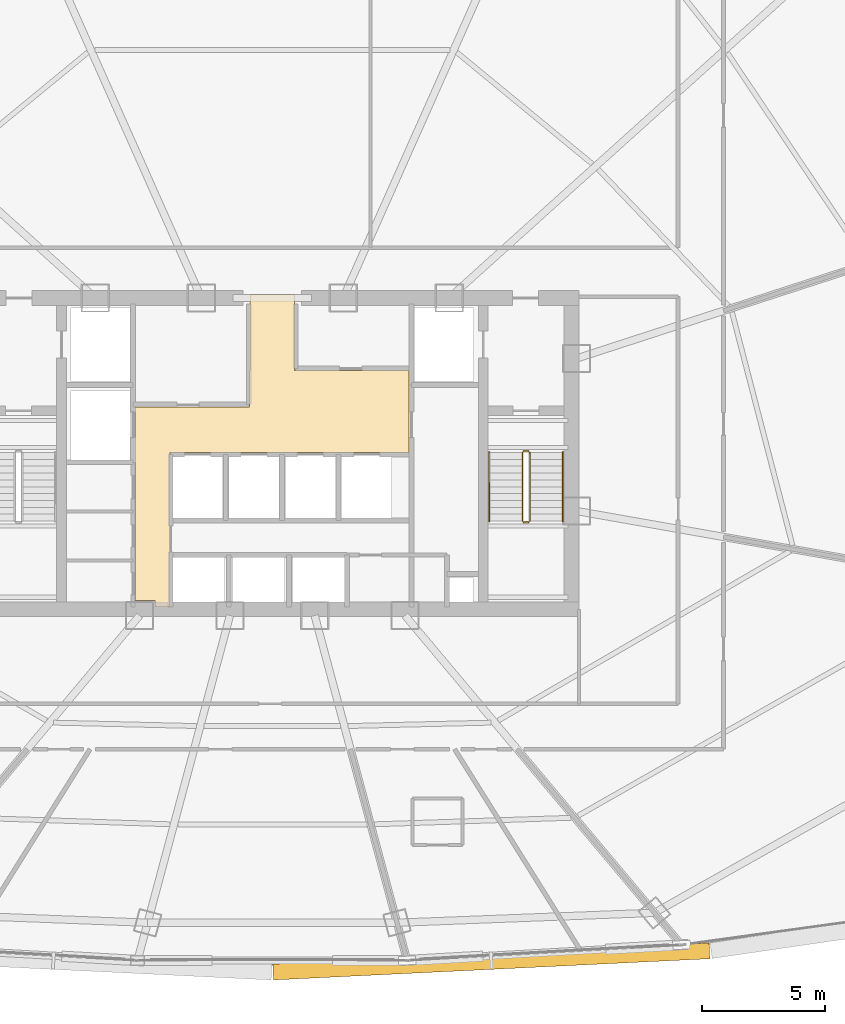
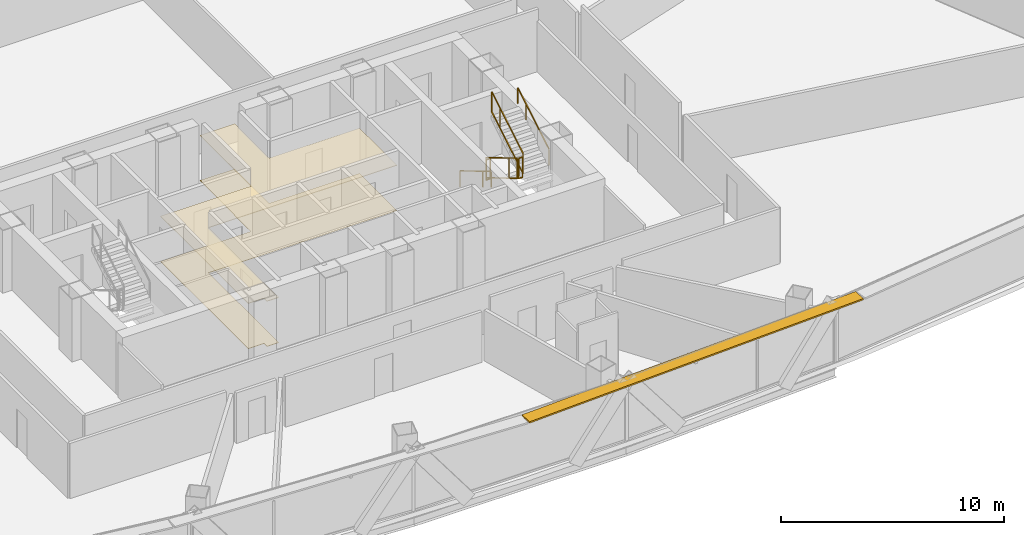
# One storey, part 37 of 39: 6 railings, 2 coverings, 1 shading device.
"""IFC4 building model written with IfcOpenShell, lengths in metres."""

import ifcopenshell
import ifcopenshell.guid

model = None  # the IFC model being written
_history = None  # IfcOwnerHistory: only IFC2X3 demands one
_inside = {}  # id of a spatial element -> (the spatial element, [elements in it])
_under = {}  # id of a project, library or spatial element -> (it, [spatial elements below it])
_declared = {}  # id of a project -> (the project, [libraries it declares])
_typed = {}  # id of a type object -> (the type object, [elements of that type])
_made_of = {}  # id of a material, layer set ... -> (it, [elements and type objects made of it])


def new_model(schema):
    """Start an empty IFC model of exactly this schema.

    Asked for "IFC4X3", IfcOpenShell would pick the latest addendum, in which some entities
    have other attributes; the version numbers below select the first issue.
    IFC2X3 requires an IfcOwnerHistory on every rooted entity: one is made here for all.
    """
    global model, _history
    if schema == "IFC4X3":
        model = ifcopenshell.file(schema_version=(4, 3, 0, 0))
    else:
        model = ifcopenshell.file(schema=schema)
    _inside.clear()
    _under.clear()
    _declared.clear()
    _typed.clear()
    _made_of.clear()
    _history = None
    if model.schema == "IFC2X3":
        org = make("IfcOrganization", Name="unknown")
        user = make(
            "IfcPersonAndOrganization",
            ThePerson=make("IfcPerson", FamilyName="unknown"),
            TheOrganization=org,
        )
        app = make(
            "IfcApplication",
            ApplicationDeveloper=org,
            Version="unknown",
            ApplicationFullName="unknown",
            ApplicationIdentifier="unknown",
        )
        _history = make(
            "IfcOwnerHistory",
            OwningUser=user,
            OwningApplication=app,
            ChangeAction="ADDED",
            CreationDate=0,
        )
    return model


def make(cls, **values):
    """One entity of the class cls with the attributes given. An attribute that is None is left unset."""
    return model.create_entity(
        cls, **{name: value for name, value in values.items() if value is not None}
    )


def rooted(cls, **values):
    """An entity with a GlobalId (a new one), such as an element, a storey or a relation."""
    return make(cls, GlobalId=ifcopenshell.guid.new(), OwnerHistory=_history, **values)


def si_unit(unit_type, name, prefix=None):
    """IfcSIUnit, for example si_unit("LENGTHUNIT", "METRE", prefix="MILLI")."""
    return make("IfcSIUnit", UnitType=unit_type, Prefix=prefix, Name=name)


def assignment(units):
    """IfcUnitAssignment: the units of a project."""
    return None if units is None else make("IfcUnitAssignment", Units=units)


def point(xyz):
    """IfcCartesianPoint."""
    return None if xyz is None else make("IfcCartesianPoint", Coordinates=xyz)


def direction(xyz):
    """IfcDirection."""
    return None if xyz is None else make("IfcDirection", DirectionRatios=xyz)


def frame(location, z_axis=None, x_axis=None):
    """IfcAxis2Placement3D, a coordinate frame: its origin and axes. An axis left out is left unset."""
    return make(
        "IfcAxis2Placement3D",
        Location=point(location),
        Axis=direction(z_axis),
        RefDirection=direction(x_axis),
    )


def frame_2d(location, x_axis=None):
    """IfcAxis2Placement2D, a coordinate frame in the plane: its origin and x axis."""
    return make(
        "IfcAxis2Placement2D", Location=point(location), RefDirection=direction(x_axis)
    )


def origin():
    """The frame at (0, 0, 0) with its axes left unset."""
    return frame((0.0, 0.0, 0.0))


def origin_2d():
    """The frame at (0, 0) in the plane with its x axis left unset."""
    return frame_2d((0.0, 0.0))


def place(relative_to, where):
    """IfcLocalPlacement: puts the frame where relative to a parent placement (None: the world)."""
    return make(
        "IfcLocalPlacement", PlacementRelTo=relative_to, RelativePlacement=where
    )


def context(
    kind, dimensions, precision=None, world=None, true_north=None, identifier=None
):
    """IfcGeometricRepresentationContext, for example the 3D "Model" context."""
    return make(
        "IfcGeometricRepresentationContext",
        ContextIdentifier=identifier,
        ContextType=kind,
        CoordinateSpaceDimension=dimensions,
        Precision=precision,
        WorldCoordinateSystem=world,
        TrueNorth=true_north,
    )


def subcontext(parent, identifier, kind, view, scale=None):
    """IfcGeometricRepresentationSubContext, for example "Body" below "Model"."""
    return make(
        "IfcGeometricRepresentationSubContext",
        ContextIdentifier=identifier,
        ContextType=kind,
        ParentContext=parent,
        TargetScale=scale,
        TargetView=view,
    )


def project(units=None, contexts=None):
    """IfcProject with its units and contexts."""
    return rooted(
        "IfcProject",
        Name="project",
        RepresentationContexts=contexts,
        UnitsInContext=assignment(units),
    )


def spatial(cls, under=None, at=None, **own):
    """A site, building, storey or space (cls), placed at a placement, below another one or the project."""
    s = rooted(cls, ObjectPlacement=at, **own)
    if under is not None:
        _under.setdefault(under.id(), (under, []))[1].append(s)
    return s


def polyline(points):
    """IfcPolyline through the points."""
    return make("IfcPolyline", Points=[point(p) for p in points])


def profile(cls, at=None, kind="AREA", **sizes):
    """A parametric profile (cls). Its sizes go by their IFC names, for example OverallWidth=200.0."""
    return make(cls, ProfileType=kind, Position=at, **sizes)


def rectangle(**sizes):
    """IfcRectangleProfileDef."""
    return profile("IfcRectangleProfileDef", **sizes)


def outline(outer, holes=None, kind="AREA"):
    """IfcArbitraryClosedProfileDef: a profile drawn as a closed curve; with holes, ...WithVoids."""
    if holes is None:
        return make("IfcArbitraryClosedProfileDef", ProfileType=kind, OuterCurve=outer)
    return make(
        "IfcArbitraryProfileDefWithVoids",
        ProfileType=kind,
        OuterCurve=outer,
        InnerCurves=holes,
    )


def extrude(swept, where, along, depth):
    """IfcExtrudedAreaSolid: the profile swept, set in the frame where, extruded along a direction by depth."""
    return make(
        "IfcExtrudedAreaSolid",
        SweptArea=swept,
        Position=where,
        ExtrudedDirection=direction(along),
        Depth=depth,
    )


def shape(context_of_items, identifier, shape_type, items):
    """IfcShapeRepresentation: the items that make up one representation, for example the "Body"."""
    return make(
        "IfcShapeRepresentation",
        ContextOfItems=context_of_items,
        RepresentationIdentifier=identifier,
        RepresentationType=shape_type,
        Items=items,
    )


def source(mapping_origin, context_of_items, identifier, shape_type, items):
    """IfcRepresentationMap: a shape defined once, which mapped items show again and again."""
    return make(
        "IfcRepresentationMap",
        MappingOrigin=mapping_origin,
        MappedRepresentation=shape(context_of_items, identifier, shape_type, items),
    )


def transform(
    local_origin,
    x_axis=None,
    y_axis=None,
    z_axis=None,
    scale=None,
    scale2=None,
    scale3=None,
    uniform=True,
):
    """IfcCartesianTransformationOperator3D, or its non-uniform kind. x_axis, y_axis, z_axis: its Axis1, 2, 3."""
    if uniform:
        return make(
            "IfcCartesianTransformationOperator3D",
            Axis1=direction(x_axis),
            Axis2=direction(y_axis),
            LocalOrigin=point(local_origin),
            Scale=scale,
            Axis3=direction(z_axis),
        )
    return make(
        "IfcCartesianTransformationOperator3DnonUniform",
        Axis1=direction(x_axis),
        Axis2=direction(y_axis),
        LocalOrigin=point(local_origin),
        Scale=scale,
        Axis3=direction(z_axis),
        Scale2=scale2,
        Scale3=scale3,
    )


def mapped(mapping_source, mapping_target):
    """IfcMappedItem: shows the shape of a source again, moved by a transform."""
    return make(
        "IfcMappedItem", MappingSource=mapping_source, MappingTarget=mapping_target
    )


def material(Name=None, Category=None):
    """IfcMaterial."""
    return make("IfcMaterial", Name=Name, Category=Category)


def layer(
    of_material, thickness, ventilated=None, Name=None, Category=None, Priority=None
):
    """IfcMaterialLayer: one layer of a wall or slab, of a material (None: an air gap)."""
    return make(
        "IfcMaterialLayer",
        Material=of_material,
        LayerThickness=thickness,
        IsVentilated=ventilated,
        Name=Name,
        Category=Category,
        Priority=Priority,
    )


def layer_set(layers, Name=None):
    """IfcMaterialLayerSet."""
    return make("IfcMaterialLayerSet", MaterialLayers=layers, LayerSetName=Name)


def made_of(thing, what):
    """Note that an element or type object is made of a material, layer set ...; save() writes the relation."""
    if what is not None:
        _made_of.setdefault(what.id(), (what, []))[1].append(thing)
    return thing


def type_object(cls, material=None, **own):
    """A type object (cls), such as IfcWallType, which elements share."""
    return made_of(rooted(cls, **own), material)


def element(
    cls,
    number,
    at=None,
    inside=None,
    cuts=None,
    type_object=None,
    material=None,
    context=None,
    identifier="Body",
    shape_type=None,
    held_by="IfcProductDefinitionShape",
    body=None,
    shapes=None,
    **own,
):
    """One element of the class cls, such as IfcWall. Its Tag is "e" and its number.

    at: its placement. inside: the storey or other place that contains it. cuts: it is an
    opening in that element (IfcRelVoidsElement). A single representation is given by context,
    identifier, shape_type and body (its items); several are given by shapes. held_by: the class
    of the entity that holds the representations. save() writes the other relations.
    """
    e = rooted(cls, Tag="e%d" % number, ObjectPlacement=at, **own)
    if body is not None:
        shapes = [shape(context, identifier, shape_type, body)]
    if shapes is not None:
        e.Representation = make(held_by, Representations=shapes)
    if inside is not None:
        _inside.setdefault(inside.id(), (inside, []))[1].append(e)
    if cuts is not None:
        rooted(
            "IfcRelVoidsElement", RelatingBuildingElement=cuts, RelatedOpeningElement=e
        )
    if type_object is not None:
        _typed.setdefault(type_object.id(), (type_object, []))[1].append(e)
    return made_of(e, material)


def aggregate(whole, parts):
    """IfcRelAggregates: a whole, such as a stair, and the parts it consists of."""
    return rooted("IfcRelAggregates", RelatingObject=whole, RelatedObjects=parts)


def save(model, path):
    """Write the relations noted so far, then the file.

    IfcRelAggregates (storeys below a building ...), IfcRelContainedInSpatialStructure (elements
    in a storey), IfcRelDefinesByType, IfcRelAssociatesMaterial and IfcRelDeclares: one each for
    every whole, place, type object, material and project.
    """
    for whole, parts in _under.values():
        aggregate(whole, parts)
    for where, things in _inside.values():
        rooted(
            "IfcRelContainedInSpatialStructure",
            RelatedElements=things,
            RelatingStructure=where,
        )
    for kind, things in _typed.values():
        rooted("IfcRelDefinesByType", RelatedObjects=things, RelatingType=kind)
    for what, things in _made_of.values():
        rooted("IfcRelAssociatesMaterial", RelatedObjects=things, RelatingMaterial=what)
    for by, libraries in _declared.values():
        rooted("IfcRelDeclares", RelatingContext=by, RelatedDefinitions=libraries)
    model.write(path)


model = new_model("IFC4")

# Units and contexts
model_context = context("Model", 3, precision=1e-05, world=origin(), true_north=direction((0.0, 1.0)))
body_context = subcontext(model_context, "Body", "Model", "MODEL_VIEW")
ifc_project = project(units=[si_unit("LENGTHUNIT", "METRE"), si_unit("AREAUNIT", "SQUARE_METRE"), si_unit("VOLUMEUNIT", "CUBIC_METRE"), si_unit("PLANEANGLEUNIT", "RADIAN"), si_unit("MASSUNIT", "GRAM", prefix="KILO"), si_unit("THERMODYNAMICTEMPERATUREUNIT", "KELVIN"), si_unit("POWERUNIT", "WATT")], contexts=[model_context])

# Site, building, storey
site_placement = place(None, origin())
site = spatial("IfcSite", under=ifc_project, at=site_placement, CompositionType="ELEMENT")
building_placement = place(site_placement, origin())
building = spatial("IfcBuilding", under=site, at=building_placement, Name="Yunzhuo Pagoda Commons", CompositionType="ELEMENT")
storey_placement = place(building_placement, frame((0.0, 0.0, 140.8701171875)))
storey = spatial("IfcBuildingStorey", under=building, at=storey_placement, Name="L35", CompositionType="ELEMENT", Elevation=140.8701171875)

# Coverings
ifc_material_1 = material(Name="Perforated gypsum acoustic ceiling tile")
ifc_layer_1 = layer(ifc_material_1, 0.030029296875)
ifc_layer_set_1 = layer_set([ifc_layer_1], Name="Perforated gypsum acoustic ceiling tile")
covering_type_1 = type_object("IfcCoveringType", Name="COV-CL2 Ceiling 30", PredefinedType="CEILING", material=ifc_layer_set_1)
covering_1_placement = place(storey_placement, frame((0.0, 0.0, 2.469970703125)))
element("IfcCovering", 1, at=covering_1_placement, inside=storey, type_object=covering_type_1, Name="L35 lift lobby acoustic ceiling", PredefinedType="CEILING", context=body_context, shape_type="SweptSolid", body=[
    extrude(outline(polyline([(42.39990234375, 35.75), (47.080078125, 35.75), (47.080078125, 37.25), (47.10009765625, 37.25), (47.10009765625, 40.35009765625), (48.89990234375, 40.35009765625), (48.89990234375, 37.25), (53.580078125, 37.25), (53.580078125, 33.89990234375), (43.820068359375, 33.89990234375), (43.820068359375, 27.60009765625), (43.207763671875, 27.60009765625), (43.207763671875, 27.85009765625), (43.201904296875, 27.864013671875), (43.187744140625, 27.8701171875), (42.39990234375, 27.8701171875), (42.39990234375, 33.89990234375), (42.39990234375, 35.75)])), origin(), (0.0, 0.0, 1.0), 0.030029296875),
])
ifc_material_2 = material(Name="Porcelain ceramic floor tile")
ifc_layer_2 = layer(ifc_material_2, 0.02001953125)
ifc_layer_set_2 = layer_set([ifc_layer_2], Name="Porcelain ceramic floor tile")
covering_type_2 = type_object("IfcCoveringType", Name="COV-FL1 Flooring 20", PredefinedType="FLOORING", material=ifc_layer_set_2)
covering_2_placement = place(storey_placement, origin())
element("IfcCovering", 2, at=covering_2_placement, inside=storey, type_object=covering_type_2, Name="L35 lift lobby flooring", PredefinedType="FLOORING", context=body_context, shape_type="SweptSolid", body=[
    extrude(outline(polyline([(42.39990234375, 35.75), (47.080078125, 35.75), (47.080078125, 37.25), (47.10009765625, 37.25), (47.10009765625, 40.35009765625), (48.89990234375, 40.35009765625), (48.89990234375, 37.25), (53.580078125, 37.25), (53.580078125, 33.89990234375), (43.820068359375, 33.89990234375), (43.820068359375, 27.60009765625), (43.207763671875, 27.60009765625), (43.207763671875, 27.85009765625), (43.201904296875, 27.864013671875), (43.187744140625, 27.8701171875), (42.39990234375, 27.8701171875), (42.39990234375, 33.89990234375), (42.39990234375, 35.75)])), origin(), (0.0, 0.0, 1.0), 0.019775390625),
])

# Railings
ifc_material_3 = material(Name="Anodized aluminium 6063-T6", Category="aluminium")
railing_type_1 = type_object("IfcRailingType", Name="GR-ST2 Stair Well Guardrail 1160", PredefinedType="GUARDRAIL", material=ifc_material_3)
railing_1_placement = place(storey_placement, frame((58.199951171875, 33.89990234375, 0.167236328125)))
element("IfcRailing", 3, at=railing_1_placement, inside=storey, type_object=railing_type_1, Name="L35 ST2 stair guard 1", PredefinedType="GUARDRAIL", context=body_context, shape_type="SweptSolid", body=[
    extrude(rectangle(XDim=0.048095703125, YDim=0.048095703125, at=origin_2d()), frame((0.0, 0.0, 1.1259765625), z_axis=(0.0, -0.858475523978, 0.512854535645), x_axis=(1.0, 0.0, 0.0)), (0.0, 0.0, 1.0), 3.261474609375),
    extrude(rectangle(XDim=0.048095703125, YDim=0.048095703125, at=origin_2d()), frame((0.0, 0.0, 0.02392578125), z_axis=(0.0, -0.858475523978, 0.512854535645), x_axis=(1.0, 0.0, 0.0)), (0.0, 0.0, 1.0), 3.261474609375),
    extrude(rectangle(XDim=0.0419921875, YDim=0.0419921875, at=origin_2d()), origin(), (0.0, 0.0, 1.0), 1.101806640625),
    extrude(rectangle(XDim=0.0419921875, YDim=0.0419921875, at=origin_2d()), frame((0.0, -2.060302734375, 1.23095703125)), (0.0, 0.0, 1.0), 1.101806640625),
    extrude(rectangle(XDim=0.0419921875, YDim=0.0419921875, at=origin_2d()), frame((0.0, -2.7998046875, 1.672607421875)), (0.0, 0.0, 1.0), 1.101806640625),
])
railing_2_placement = place(storey_placement, frame((58.25, 31.050048828125, 1.83984375)))
element("IfcRailing", 4, at=railing_2_placement, inside=storey, type_object=railing_type_1, Name="L35 ST2 stair guard 2", PredefinedType="GUARDRAIL", context=body_context, shape_type="SweptSolid", body=[
    extrude(rectangle(XDim=0.048095703125, YDim=0.048095703125, at=origin_2d()), frame((0.0, 0.0, 1.1259765625), z_axis=(1.0, 0.0, 0.0), x_axis=(0.0, 1.0, 0.0)), (0.0, 0.0, 1.0), 0.199951171875),
    extrude(rectangle(XDim=0.048095703125, YDim=0.048095703125, at=origin_2d()), frame((0.0, 0.0, 0.02392578125), z_axis=(1.0, 0.0, 0.0), x_axis=(0.0, 1.0, 0.0)), (0.0, 0.0, 1.0), 0.199951171875),
    extrude(rectangle(XDim=0.0419921875, YDim=0.0419921875, at=origin_2d()), origin(), (0.0, 0.0, 1.0), 1.101806640625),
    extrude(rectangle(XDim=0.0419921875, YDim=0.0419921875, at=origin_2d()), frame((0.199951171875, 0.0, 0.0)), (0.0, 0.0, 1.0), 1.101806640625),
])
railing_3_placement = place(storey_placement, frame((58.5, 31.10009765625, 2.007080078125)))
element("IfcRailing", 5, at=railing_3_placement, inside=storey, type_object=railing_type_1, Name="L35 ST2 stair guard 3", PredefinedType="GUARDRAIL", context=body_context, shape_type="SweptSolid", body=[
    extrude(rectangle(XDim=0.048095703125, YDim=0.048095703125, at=origin_2d()), frame((0.0, 0.0, 1.1259765625), z_axis=(0.0, 0.858442565357, 0.512909701589), x_axis=(-1.0, 0.0, 0.0)), (0.0, 0.0, 1.0), 3.261474609375),
    extrude(rectangle(XDim=0.048095703125, YDim=0.048095703125, at=origin_2d()), frame((0.0, 0.0, 0.02392578125), z_axis=(0.0, 0.858442565357, 0.512909701589), x_axis=(-1.0, 0.0, 0.0)), (0.0, 0.0, 1.0), 3.261474609375),
    extrude(rectangle(XDim=0.0419921875, YDim=0.0419921875, at=origin_2d()), origin(), (0.0, 0.0, 1.0), 1.101806640625),
    extrude(rectangle(XDim=0.0419921875, YDim=0.0419921875, at=origin_2d()), frame((0.0, 2.060302734375, 1.23095703125)), (0.0, 0.0, 1.0), 1.101806640625),
    extrude(rectangle(XDim=0.0419921875, YDim=0.0419921875, at=origin_2d()), frame((0.0, 2.7998046875, 1.6728515625)), (0.0, 0.0, 1.0), 1.101806640625),
])
railing_4_placement = place(storey_placement, frame((58.25, 33.949951171875, 0.0)))
element("IfcRailing", 6, at=railing_4_placement, inside=storey, type_object=railing_type_1, Name="L35 ST2 stair guard 4", PredefinedType="GUARDRAIL", context=body_context, shape_type="SweptSolid", body=[
    extrude(rectangle(XDim=0.048095703125, YDim=0.048095703125, at=origin_2d()), frame((0.0, 0.0, 1.1259765625), z_axis=(1.0, 0.0, 0.0), x_axis=(0.0, 1.0, 0.0)), (0.0, 0.0, 1.0), 0.199951171875),
    extrude(rectangle(XDim=0.048095703125, YDim=0.048095703125, at=origin_2d()), frame((0.0, 0.0, 0.02392578125), z_axis=(1.0, 0.0, 0.0), x_axis=(0.0, 1.0, 0.0)), (0.0, 0.0, 1.0), 0.199951171875),
    extrude(rectangle(XDim=0.0419921875, YDim=0.0419921875, at=origin_2d()), origin(), (0.0, 0.0, 1.0), 1.101806640625),
    extrude(rectangle(XDim=0.0419921875, YDim=0.0419921875, at=origin_2d()), frame((0.199951171875, 0.0, 0.0)), (0.0, 0.0, 1.0), 1.101806640625),
])
railing_type_2 = type_object("IfcRailingType", Name="HR-ST2 Stair Handrail 900", PredefinedType="HANDRAIL", material=ifc_material_3)
railing_5_placement = place(storey_placement, frame((56.85009765625, 33.89990234375, 0.167236328125)))
element("IfcRailing", 7, at=railing_5_placement, inside=storey, type_object=railing_type_2, Name="L35 ST2 stair handrail 1", PredefinedType="HANDRAIL", context=body_context, shape_type="SweptSolid", body=[
    extrude(rectangle(XDim=0.048095703125, YDim=0.048095703125, at=origin_2d()), frame((0.0, 0.0, 0.8759765625), z_axis=(0.0, -0.858475523978, 0.512854535645), x_axis=(1.0, 0.0, 0.0)), (0.0, 0.0, 1.0), 3.261474609375),
    extrude(rectangle(XDim=0.0419921875, YDim=0.0419921875, at=origin_2d()), origin(), (0.0, 0.0, 1.0), 0.851806640625),
    extrude(rectangle(XDim=0.0419921875, YDim=0.0419921875, at=origin_2d()), frame((0.0, -2.060302734375, 1.23095703125)), (0.0, 0.0, 1.0), 0.851806640625),
    extrude(rectangle(XDim=0.0419921875, YDim=0.0419921875, at=origin_2d()), frame((0.0, -2.7998046875, 1.672607421875)), (0.0, 0.0, 1.0), 0.851806640625),
])
railing_6_placement = place(storey_placement, frame((59.85009765625, 31.10009765625, 2.007080078125)))
element("IfcRailing", 8, at=railing_6_placement, inside=storey, type_object=railing_type_2, Name="L35 ST2 stair handrail 2", PredefinedType="HANDRAIL", context=body_context, shape_type="SweptSolid", body=[
    extrude(rectangle(XDim=0.048095703125, YDim=0.048095703125, at=origin_2d()), frame((0.0, 0.0, 0.8759765625), z_axis=(0.0, 0.858442565357, 0.512909701589), x_axis=(-1.0, 0.0, 0.0)), (0.0, 0.0, 1.0), 3.261474609375),
    extrude(rectangle(XDim=0.0419921875, YDim=0.0419921875, at=origin_2d()), origin(), (0.0, 0.0, 1.0), 0.851806640625),
    extrude(rectangle(XDim=0.0419921875, YDim=0.0419921875, at=origin_2d()), frame((0.0, 2.060302734375, 1.23095703125)), (0.0, 0.0, 1.0), 0.851806640625),
    extrude(rectangle(XDim=0.0419921875, YDim=0.0419921875, at=origin_2d()), frame((0.0, 2.7998046875, 1.6728515625)), (0.0, 0.0, 1.0), 0.851806640625),
])

# Shading device
ifc_layer_3 = layer(ifc_material_3, 0.080078125)
ifc_layer_set_3 = layer_set([ifc_layer_3], Name="Anodized aluminium 6063-T6")
shading_device_type = type_object("IfcShadingDeviceType", Name="SH-SUN1 Pagoda Horizontal Sunshade Eave 650", PredefinedType="USERDEFINED", material=ifc_layer_set_3)
shared_shape = source(origin(), body_context, "Body", "SweptSolid", [
    extrude(rectangle(XDim=17.818603515625, YDim=0.64990234375, at=origin_2d()), origin(), (0.0, 0.0, 1.0), 0.080078125),
])
shading_device_placement = place(storey_placement, frame((56.930419921875, 13.14404296875, 3.33984375), z_axis=(0.0, 0.0, 1.0), x_axis=(0.998818043775, 0.04860571396, 0.0)))
element("IfcShadingDevice", 9, at=shading_device_placement, inside=storey, type_object=shading_device_type, Name="L35 horizontal pagoda sunshade eave F1.3", ObjectType="SUNSHADE", PredefinedType="USERDEFINED", context=body_context, shape_type="MappedRepresentation", body=[
    mapped(shared_shape, transform((0.0, 0.0, 0.0), scale=1.0)),
])

save(model, "model.ifc")
